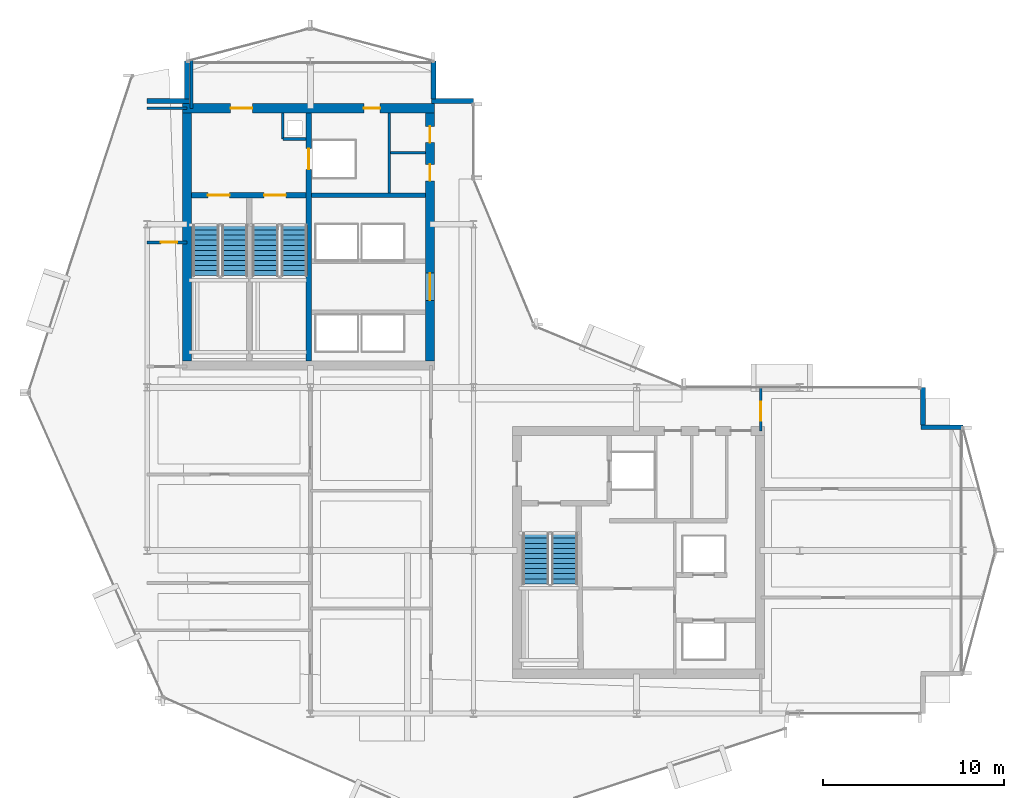
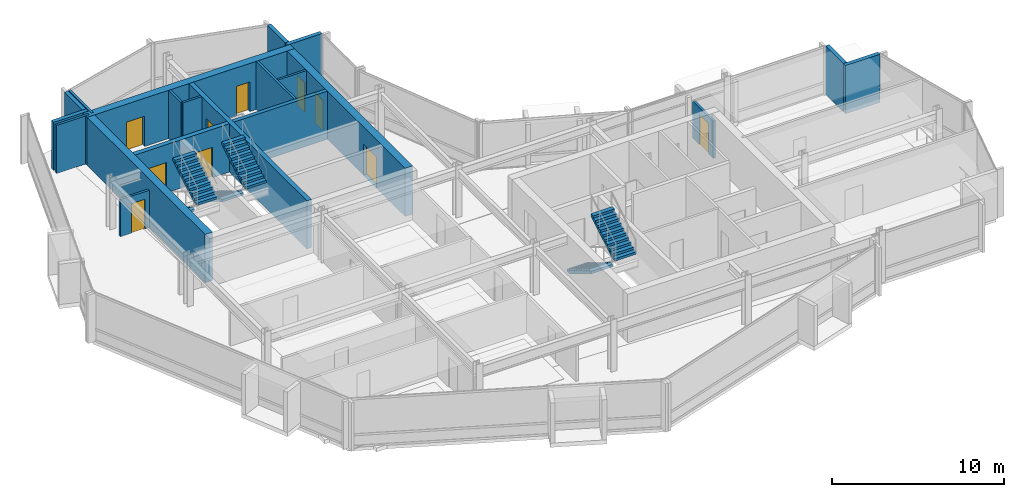
# One storey, part 21 of 27: 20 walls, 10 doors, 6 stair flights, 10 openings, 3 elements without a shape of their own.
"""IFC4 building model written with IfcOpenShell, lengths in metres."""

from ifc_helpers import new_model, si_unit, direction, frame, frame_2d, origin, place, context, subcontext, project, spatial, polyline, rectangle, outline, extrude, material, layer, layer_set, type_object, element, fill, aggregate, save


model = new_model("IFC4")

# Units and contexts
model_context = context("Model", 3, precision=1e-05, world=origin(), true_north=direction((0.0, 1.0)))
body_context = subcontext(model_context, "Body", "Model", "MODEL_VIEW")
ifc_project = project(units=[si_unit("LENGTHUNIT", "METRE"), si_unit("AREAUNIT", "SQUARE_METRE"), si_unit("VOLUMEUNIT", "CUBIC_METRE"), si_unit("PLANEANGLEUNIT", "RADIAN"), si_unit("MASSUNIT", "GRAM", prefix="KILO")], contexts=[model_context])

# Site, building, storey
site_placement = place(None, origin())
site = spatial("IfcSite", under=ifc_project, at=site_placement, CompositionType="ELEMENT")
building_placement = place(site_placement, origin())
building = spatial("IfcBuilding", under=site, at=building_placement, Name="Solvaryn Broadcast Tower", CompositionType="ELEMENT")
storey_placement = place(building_placement, frame((0.0, 0.0, 174.199951171875)))
storey = spatial("IfcBuildingStorey", under=building, at=storey_placement, Name="L43", CompositionType="ELEMENT", Elevation=174.199951171875)

# Wall, openings, doors
ifc_material_1 = material(Name="Concrete f'c 70 MPa", Category="concrete")
ifc_layer_1 = layer(ifc_material_1, 0.5)
ifc_layer_set_1 = layer_set([ifc_layer_1], Name="CW-SHEAR-500")
wall_type_1 = type_object("IfcWallType", Name="CW-SHEAR-500", PredefinedType="SHEAR", material=ifc_layer_set_1)
wall_1_placement = place(storey_placement, frame((24.85009765625, 42.39990234375, 0.0), z_axis=(0.0, 0.0, 1.0), x_axis=(-1.0, 0.0, 0.0)))
wall_1 = element("IfcWall", 1, at=wall_1_placement, inside=storey, type_object=wall_type_1, Name="L43 West Core North Shear Wall", PredefinedType="SHEAR", context=body_context, shape_type="SweptSolid", body=[
    extrude(rectangle(XDim=13.900146484375, YDim=0.5, at=frame_2d((6.9501953125, 0.0))), origin(), (0.0, 0.0, 1.0), 3.420166015625),
])
opening_1_placement = place(wall_1_placement, frame((10.050048828125, 0.0, 0.0)))
opening_1 = element("IfcOpeningElement", 2, at=opening_1_placement, cuts=wall_1, Name="Opening FD90A", PredefinedType="OPENING", context=body_context, shape_type="SweptSolid", body=[
    extrude(rectangle(XDim=1.199951171875, YDim=2.14990234375, at=frame_2d((0.60009765625, 1.074951171875))), frame((0.0, 0.260009765625, 0.0), z_axis=(0.0, -1.0, 0.0), x_axis=(1.0, 0.0, 0.0)), (0.0, 0.0, 1.0), 0.52001953125),
])
opening_2_placement = place(wall_1_placement, frame((3.0, 0.0, 0.0)))
opening_2 = element("IfcOpeningElement", 3, at=opening_2_placement, cuts=wall_1, Name="Opening FD60C", PredefinedType="OPENING", context=body_context, shape_type="SweptSolid", body=[
    extrude(rectangle(XDim=0.89990234375, YDim=2.10009765625, at=frame_2d((0.449951171875, 1.050048828125))), frame((0.0, 0.260009765625, 0.0), z_axis=(0.0, -1.0, 0.0), x_axis=(1.0, 0.0, 0.0)), (0.0, 0.0, 1.0), 0.52001953125),
])
ifc_material_2 = material(Name="Flush Acoustic Steel and Timber Door Assembly", Category="steel")
door_type_1 = type_object("IfcDoorType", Name="FD60-SERV-900X2100", OperationType="NOTDEFINED", PredefinedType="DOOR", material=ifc_material_2)
door_1_placement = place(opening_2_placement, origin())
door_1 = element("IfcDoor", 4, at=door_1_placement, inside=storey, type_object=door_type_1, Name="L43 West Core Fiber Riser Door", OperationType="SINGLE_SWING_RIGHT", OverallHeight=2.10009765625, OverallWidth=0.89990234375, PredefinedType="DOOR", context=body_context, shape_type="SweptSolid", body=[
    extrude(rectangle(XDim=0.89990234375, YDim=2.10009765625, at=frame_2d((0.449951171875, 1.050048828125))), frame((0.0, 0.02490234375, 0.0), z_axis=(0.0, -1.0, 0.0), x_axis=(1.0, 0.0, 0.0)), (0.0, 0.0, 1.0), 0.050048828125),
])
fill(opening_2, door_1)
ifc_material_3 = material(Name="Flush Acoustic Steel and Timber Door Assembly", Category="steel")
door_type_2 = type_object("IfcDoorType", Name="FD90-STAIR-1200X2150", OperationType="NOTDEFINED", PredefinedType="DOOR", material=ifc_material_3)
door_2_placement = place(opening_1_placement, origin())
door_2 = element("IfcDoor", 5, at=door_2_placement, inside=storey, type_object=door_type_2, Name="L43 West FSAE Lobby Corridor Door", OperationType="SINGLE_SWING_LEFT", OverallHeight=2.14990234375, OverallWidth=1.199951171875, PredefinedType="DOOR", context=body_context, shape_type="SweptSolid", body=[
    extrude(rectangle(XDim=1.199951171875, YDim=2.14990234375, at=frame_2d((0.60009765625, 1.074951171875))), frame((0.0, 0.02490234375, 0.0), z_axis=(0.0, -1.0, 0.0), x_axis=(1.0, 0.0, 0.0)), (0.0, 0.0, 1.0), 0.050048828125),
])
fill(opening_1, door_2)

# Wall
wall_2_placement = place(storey_placement, frame((11.199951171875, 42.14990234375, 0.0), z_axis=(0.0, 0.0, 1.0), x_axis=(0.0, -1.0, 0.0)))
element("IfcWall", 6, at=wall_2_placement, inside=storey, type_object=wall_type_1, Name="L43 West Core West Shear Wall", PredefinedType="SHEAR", context=body_context, shape_type="SweptSolid", body=[
    extrude(rectangle(XDim=13.699951171875, YDim=0.5, at=frame_2d((6.85009765625, 0.0))), origin(), (0.0, 0.0, 1.0), 3.420166015625),
])

# Wall, openings, doors
wall_3_placement = place(storey_placement, frame((24.60009765625, 28.449951171875, 0.0), z_axis=(0.0, 0.0, 1.0), x_axis=(0.0, 1.0, 0.0)))
wall_3 = element("IfcWall", 7, at=wall_3_placement, inside=storey, type_object=wall_type_1, Name="L43 West Core East Shear Wall", PredefinedType="SHEAR", context=body_context, shape_type="SweptSolid", body=[
    extrude(rectangle(XDim=13.699951171875, YDim=0.5, at=frame_2d((6.85009765625, 0.0))), origin(), (0.0, 0.0, 1.0), 3.420166015625),
])
opening_3_placement = place(wall_3_placement, frame((3.35009765625, 0.0, 0.0)))
opening_3 = element("IfcOpeningElement", 8, at=opening_3_placement, cuts=wall_3, Name="Opening FD60A", PredefinedType="OPENING", context=body_context, shape_type="SweptSolid", body=[
    extrude(rectangle(XDim=1.5, YDim=2.199951171875, at=frame_2d((0.75, 1.10009765625))), frame((0.0, 0.260009765625, 0.0), z_axis=(0.0, -1.0, 0.0), x_axis=(1.0, 0.0, 0.0)), (0.0, 0.0, 1.0), 0.52001953125),
])
opening_4_placement = place(wall_3_placement, frame((9.949951171875, 0.0, 0.0)))
opening_4 = element("IfcOpeningElement", 9, at=opening_4_placement, cuts=wall_3, Name="Opening FD60C", PredefinedType="OPENING", context=body_context, shape_type="SweptSolid", body=[
    extrude(rectangle(XDim=0.89990234375, YDim=2.10009765625, at=frame_2d((0.449951171875, 1.050048828125))), frame((0.0, 0.260009765625, 0.0), z_axis=(0.0, -1.0, 0.0), x_axis=(1.0, 0.0, 0.0)), (0.0, 0.0, 1.0), 0.52001953125),
])
opening_5_placement = place(wall_3_placement, frame((12.050048828125, 0.0, 0.0)))
opening_5 = element("IfcOpeningElement", 10, at=opening_5_placement, cuts=wall_3, Name="Opening FD60C", PredefinedType="OPENING", context=body_context, shape_type="SweptSolid", body=[
    extrude(rectangle(XDim=0.89990234375, YDim=2.10009765625, at=frame_2d((0.449951171875, 1.050048828125))), frame((0.0, 0.260009765625, 0.0), z_axis=(0.0, -1.0, 0.0), x_axis=(1.0, 0.0, 0.0)), (0.0, 0.0, 1.0), 0.52001953125),
])
ifc_material_4 = material(Name="Flush Acoustic Steel and Timber Door Assembly", Category="steel")
door_type_3 = type_object("IfcDoorType", Name="FD60-CORR-1500X2200", OperationType="NOTDEFINED", PredefinedType="DOOR", material=ifc_material_4)
door_3_placement = place(opening_3_placement, origin())
door_3 = element("IfcDoor", 11, at=door_3_placement, inside=storey, type_object=door_type_3, Name="L43 West Elevator Lobby Corridor Door", OperationType="DOUBLE_DOOR_SINGLE_SWING", OverallHeight=2.199951171875, OverallWidth=1.5, PredefinedType="DOOR", context=body_context, shape_type="SweptSolid", body=[
    extrude(rectangle(XDim=1.5, YDim=2.199951171875, at=frame_2d((0.75, 1.10009765625))), frame((0.0, 0.02490234375, 0.0), z_axis=(0.0, -1.0, 0.0), x_axis=(1.0, 0.0, 0.0)), (0.0, 0.0, 1.0), 0.050048828125),
])
fill(opening_3, door_3)
door_4_placement = place(opening_4_placement, origin())
door_4 = element("IfcDoor", 12, at=door_4_placement, inside=storey, type_object=door_type_1, Name="L43 West Core Service Door 1", OperationType="SINGLE_SWING_LEFT", OverallHeight=2.10009765625, OverallWidth=0.89990234375, PredefinedType="DOOR", context=body_context, shape_type="SweptSolid", body=[
    extrude(rectangle(XDim=0.89990234375, YDim=2.10009765625, at=frame_2d((0.449951171875, 1.050048828125))), frame((0.0, 0.02490234375, 0.0), z_axis=(0.0, -1.0, 0.0), x_axis=(1.0, 0.0, 0.0)), (0.0, 0.0, 1.0), 0.050048828125),
])
fill(opening_4, door_4)
door_5_placement = place(opening_5_placement, origin())
door_5 = element("IfcDoor", 13, at=door_5_placement, inside=storey, type_object=door_type_1, Name="L43 West Core Janitor Door", OperationType="SINGLE_SWING_RIGHT", OverallHeight=2.10009765625, OverallWidth=0.89990234375, PredefinedType="DOOR", context=body_context, shape_type="SweptSolid", body=[
    extrude(rectangle(XDim=0.89990234375, YDim=2.10009765625, at=frame_2d((0.449951171875, 1.050048828125))), frame((0.0, 0.02490234375, 0.0), z_axis=(0.0, -1.0, 0.0), x_axis=(1.0, 0.0, 0.0)), (0.0, 0.0, 1.0), 0.050048828125),
])
fill(opening_5, door_5)

# Walls
ifc_material_5 = material(Name="Concrete f'c 50 MPa", Category="concrete")
ifc_layer_2 = layer(ifc_material_5, 0.260009765625)
ifc_layer_set_2 = layer_set([ifc_layer_2], Name="EW-PIER-260")
wall_type_2 = type_object("IfcWallType", Name="EW-PIER-260", PredefinedType="SOLIDWALL", material=ifc_layer_set_2)
wall_4_placement = place(storey_placement, frame((9.0, 42.800048828125, 0.0), z_axis=(0.0, 0.0, 1.0), x_axis=(1.0, 0.0, 0.0)))
element("IfcWall", 14, at=wall_4_placement, inside=storey, type_object=wall_type_2, Name="L43 Notched Corner Pier Wall NNW1", PredefinedType="SOLIDWALL", context=body_context, shape_type="SweptSolid", body=[
    extrude(rectangle(XDim=2.320068359375, YDim=0.260009765625, at=frame_2d((1.16015625, 0.0))), origin(), (0.0, 0.0, 1.0), 3.420166015625),
])
for number, where, z_axis, x_axis, name in (
    (15, (11.199951171875, 42.919921875, 0.0), (0.0, 0.0, 1.0), (0.0, 1.0, 0.0), "L43 Notched Corner Pier Wall NNW2"),
    (16, (24.800048828125, 45.0, 0.0), (0.0, 0.0, 1.0), (0.0, -1.0, 0.0), "L43 Notched Corner Pier Wall NNE1"),
):
    element("IfcWall", number, at=place(storey_placement, frame(where, z_axis=z_axis, x_axis=x_axis)), inside=storey, type_object=wall_type_2, Name=name, PredefinedType="SOLIDWALL", context=body_context, shape_type="SweptSolid", body=[
        extrude(rectangle(XDim=2.080078125, YDim=0.260009765625, at=frame_2d((1.0400390625, 0.0))), origin(), (0.0, 0.0, 1.0), 3.420166015625),
    ])
for number, where, z_axis, x_axis, name in (
    (17, (24.679931640625, 42.800048828125, 0.0), (0.0, 0.0, 1.0), (1.0, 0.0, 0.0), "L43 Notched Corner Pier Wall NNE2"),
    (18, (54.0, 24.800048828125, 0.0), (0.0, 0.0, 1.0), (-1.0, 0.0, 0.0), "L43 Notched Corner Pier Wall NEE1"),
):
    element("IfcWall", number, at=place(storey_placement, frame(where, z_axis=z_axis, x_axis=x_axis)), inside=storey, type_object=wall_type_2, Name=name, PredefinedType="SOLIDWALL", context=body_context, shape_type="SweptSolid", body=[
        extrude(rectangle(XDim=2.320068359375, YDim=0.260009765625, at=frame_2d((1.16015625, 0.0))), origin(), (0.0, 0.0, 1.0), 3.420166015625),
    ])
wall_5_placement = place(storey_placement, frame((51.800048828125, 24.919921875, 0.0), z_axis=(0.0, 0.0, 1.0), x_axis=(0.0, 1.0, 0.0)))
element("IfcWall", 19, at=wall_5_placement, inside=storey, type_object=wall_type_2, Name="L43 Notched Corner Pier Wall NEE2", PredefinedType="SOLIDWALL", context=body_context, shape_type="SweptSolid", body=[
    extrude(rectangle(XDim=2.080078125, YDim=0.260009765625, at=frame_2d((1.0400390625, 0.0))), origin(), (0.0, 0.0, 1.0), 3.420166015625),
])
ifc_material_6 = material(Name="Metal-Stud Service Core Partition")
ifc_layer_3 = layer(ifc_material_6, 0.14990234375)
ifc_layer_set_3 = layer_set([ifc_layer_3], Name="IW-PART-150")
wall_type_3 = type_object("IfcWallType", Name="IW-PART-150", PredefinedType="PARTITIONING", material=ifc_layer_set_3)
wall_6_placement = place(storey_placement, frame((16.47998046875, 40.699951171875, 0.0), z_axis=(0.0, 0.0, 1.0), x_axis=(1.0, 0.0, 0.0)))
element("IfcWall", 20, at=wall_6_placement, inside=storey, type_object=wall_type_3, Name="L43 West Core Riser Shaft South Wall", PredefinedType="PARTITIONING", context=body_context, shape_type="SweptSolid", body=[
    extrude(rectangle(XDim=1.2900390625, YDim=0.14990234375, at=frame_2d((0.64501953125, 0.0))), origin(), (0.0, 0.0, 1.0), 3.420166015625),
])
wall_7_placement = place(storey_placement, frame((16.47998046875, 40.699951171875, 0.0), z_axis=(0.0, 0.0, 1.0), x_axis=(0.0, 1.0, 0.0)))
element("IfcWall", 21, at=wall_7_placement, inside=storey, type_object=wall_type_3, Name="L43 West Core Riser Shaft West Wall", PredefinedType="PARTITIONING", context=body_context, shape_type="SweptSolid", body=[
    extrude(rectangle(XDim=1.449951171875, YDim=0.14990234375, at=frame_2d((0.72509765625, 0.0))), origin(), (0.0, 0.0, 1.0), 3.420166015625),
])
wall_8_placement = place(storey_placement, frame((22.35009765625, 37.72998046875, 0.0), z_axis=(0.0, 0.0, 1.0), x_axis=(0.0, 1.0, 0.0)))
element("IfcWall", 22, at=wall_8_placement, inside=storey, type_object=wall_type_3, Name="L43 Interior Partition IW-L43-CWS-V", PredefinedType="PARTITIONING", context=body_context, shape_type="SweptSolid", body=[
    extrude(rectangle(XDim=4.419921875, YDim=0.14990234375, at=frame_2d((2.2099609375, 0.0))), origin(), (0.0, 0.0, 1.0), 3.420166015625),
])
wall_9_placement = place(storey_placement, frame((22.429931640625, 39.949951171875, 0.0), z_axis=(0.0, 0.0, 1.0), x_axis=(1.0, 0.0, 0.0)))
element("IfcWall", 23, at=wall_9_placement, inside=storey, type_object=wall_type_3, Name="L43 Interior Partition IW-L43-CWS-H", PredefinedType="PARTITIONING", context=body_context, shape_type="SweptSolid", body=[
    extrude(rectangle(XDim=1.920166015625, YDim=0.14990234375, at=frame_2d((0.9599609375, 0.0))), origin(), (0.0, 0.0, 1.0), 3.420166015625),
])

# Wall, opening, door
wall_10_placement = place(storey_placement, frame((9.0, 35.0, 0.0), z_axis=(0.0, 0.0, 1.0), x_axis=(1.0, 0.0, 0.0)))
wall_10 = element("IfcWall", 24, at=wall_10_placement, inside=storey, type_object=wall_type_3, Name="L43 Interior Partition IW-L43-WM-M", PredefinedType="PARTITIONING", context=body_context, shape_type="SweptSolid", body=[
    extrude(rectangle(XDim=2.199951171875, YDim=0.14990234375, at=frame_2d((1.10009765625, 0.0))), origin(), (0.0, 0.0, 1.0), 2.634033203125),
])
opening_6_placement = place(wall_10_placement, frame((0.75, 0.0, 0.0)))
opening_6 = element("IfcOpeningElement", 25, at=opening_6_placement, cuts=wall_10, Name="Opening FD60C", PredefinedType="OPENING", context=body_context, shape_type="SweptSolid", body=[
    extrude(rectangle(XDim=0.89990234375, YDim=2.10009765625, at=frame_2d((0.449951171875, 1.050048828125))), frame((0.0, 0.0849609375, 0.0), z_axis=(0.0, -1.0, 0.0), x_axis=(1.0, 0.0, 0.0)), (0.0, 0.0, 1.0), 0.169921875),
])
door_6_placement = place(opening_6_placement, origin())
door_6 = element("IfcDoor", 26, at=door_6_placement, inside=storey, type_object=door_type_1, Name="L43 Door DR-L43-WM1", OperationType="SINGLE_SWING_LEFT", OverallHeight=2.10009765625, OverallWidth=0.89990234375, PredefinedType="DOOR", context=body_context, shape_type="SweptSolid", body=[
    extrude(rectangle(XDim=0.89990234375, YDim=2.10009765625, at=frame_2d((0.449951171875, 1.050048828125))), frame((0.0, 0.02490234375, 0.0), z_axis=(0.0, -1.0, 0.0), x_axis=(1.0, 0.0, 0.0)), (0.0, 0.0, 1.0), 0.050048828125),
])
fill(opening_6, door_6)

# Walls
ifc_material_7 = material(Name="Metal-Stud Gypsum Office Partition")
ifc_layer_4 = layer(ifc_material_7, 0.159912109375)
ifc_layer_set_4 = layer_set([ifc_layer_4], Name="IW-PART-160")
wall_type_4 = type_object("IfcWallType", Name="IW-PART-160", PredefinedType="PARTITIONING", material=ifc_layer_set_4)
wall_11_placement = place(storey_placement, frame((9.0, 42.39990234375, 0.0), z_axis=(0.0, 0.0, 1.0), x_axis=(1.0, 0.0, 0.0)))
element("IfcWall", 27, at=wall_11_placement, inside=storey, type_object=wall_type_4, Name="L43 Interior Partition IW-L43-WM-N", PredefinedType="PARTITIONING", context=body_context, shape_type="SweptSolid", body=[
    extrude(rectangle(XDim=2.199951171875, YDim=0.159912109375, at=frame_2d((1.10009765625, 0.0))), origin(), (0.0, 0.0, 1.0), 3.420166015625),
])
wall_12_placement = place(storey_placement, frame((11.449951171875, 42.39990234375, 0.0), z_axis=(0.0, 0.0, 1.0), x_axis=(0.0, 1.0, 0.0)))
element("IfcWall", 28, at=wall_12_placement, inside=storey, type_object=wall_type_4, Name="L43 Interior Partition IW-L43-WM-E", PredefinedType="PARTITIONING", context=body_context, shape_type="SweptSolid", body=[
    extrude(rectangle(XDim=2.666015625, YDim=0.159912109375, at=frame_2d((1.3330078125, 0.0))), origin(), (0.0, 0.0, 1.0), 3.420166015625),
])

# Wall, opening, door
wall_13_placement = place(storey_placement, frame((42.85009765625, 24.60009765625, 0.0), z_axis=(0.0, 0.0, 1.0), x_axis=(0.0, 1.0, 0.0)))
wall_13 = element("IfcWall", 29, at=wall_13_placement, inside=storey, type_object=wall_type_4, Name="L43 Interior Partition IW-L43-EW-BN", PredefinedType="PARTITIONING", context=body_context, shape_type="SweptSolid", body=[
    extrude(rectangle(XDim=2.39990234375, YDim=0.159912109375, at=frame_2d((1.199951171875, 0.0))), origin(), (0.0, 0.0, 1.0), 2.634033203125),
])
opening_7_placement = place(wall_13_placement, frame((0.550048828125, 0.0, 0.0)))
opening_7 = element("IfcOpeningElement", 30, at=opening_7_placement, cuts=wall_13, Name="Opening ID03", PredefinedType="OPENING", context=body_context, shape_type="SweptSolid", body=[
    extrude(rectangle(XDim=1.050048828125, YDim=2.14990234375, at=frame_2d((0.52490234375, 1.074951171875))), frame((0.0, 0.090087890625, 0.0), z_axis=(0.0, -1.0, 0.0), x_axis=(1.0, 0.0, 0.0)), (0.0, 0.0, 1.0), 0.179931640625),
])
ifc_material_8 = material(Name="Flush Acoustic Steel and Timber Door Assembly", Category="steel")
door_type_4 = type_object("IfcDoorType", Name="ID-03-1050X2150", OperationType="NOTDEFINED", PredefinedType="DOOR", material=ifc_material_8)
door_7_placement = place(opening_7_placement, origin())
door_7 = element("IfcDoor", 31, at=door_7_placement, inside=storey, type_object=door_type_4, Name="L43 Door DR-L43-EW0", OperationType="SINGLE_SWING_RIGHT", OverallHeight=2.14990234375, OverallWidth=1.050048828125, PredefinedType="DOOR", context=body_context, shape_type="SweptSolid", body=[
    extrude(rectangle(XDim=1.050048828125, YDim=2.14990234375, at=frame_2d((0.52490234375, 1.074951171875))), frame((0.0, 0.02490234375, 0.0), z_axis=(0.0, -1.0, 0.0), x_axis=(1.0, 0.0, 0.0)), (0.0, 0.0, 1.0), 0.050048828125),
])
fill(opening_7, door_7)

# Wall
ifc_material_9 = material(Name="Concrete f'c 60 MPa", Category="concrete")
ifc_layer_5 = layer(ifc_material_9, 0.25)
ifc_layer_set_5 = layer_set([ifc_layer_5], Name="SW-SHAFT-250")
wall_type_5 = type_object("IfcWallType", Name="SW-SHAFT-250", PredefinedType="PARTITIONING", material=ifc_layer_set_5)
wall_14_placement = place(storey_placement, frame((18.070068359375, 37.60009765625, 0.0), z_axis=(0.0, 0.0, 1.0), x_axis=(1.0, 0.0, 0.0)))
element("IfcWall", 32, at=wall_14_placement, inside=storey, type_object=wall_type_5, Name="L43 West Core FSAE Hoistway Front Wall", PredefinedType="PARTITIONING", context=body_context, shape_type="SweptSolid", body=[
    extrude(rectangle(XDim=6.280029296875, YDim=0.25, at=frame_2d((3.14013671875, 0.0))), origin(), (0.0, 0.0, 1.0), 3.420166015625),
])

# Wall, opening, door
ifc_material_10 = material(Name="Concrete f'c 70 MPa", Category="concrete")
ifc_layer_6 = layer(ifc_material_10, 0.300048828125)
ifc_layer_set_6 = layer_set([ifc_layer_6], Name="SW-SHAFT-300")
wall_type_6 = type_object("IfcWallType", Name="SW-SHAFT-300", PredefinedType="SHEAR", material=ifc_layer_set_6)
wall_15_placement = place(storey_placement, frame((17.919921875, 42.14990234375, 0.0), z_axis=(0.0, 0.0, 1.0), x_axis=(0.0, -1.0, 0.0)))
wall_15 = element("IfcWall", 33, at=wall_15_placement, inside=storey, type_object=wall_type_6, Name="L43 West Core Stair-Lobby Shear Wall", PredefinedType="SHEAR", context=body_context, shape_type="SweptSolid", body=[
    extrude(rectangle(XDim=13.699951171875, YDim=0.300048828125, at=frame_2d((6.85009765625, 0.0))), origin(), (0.0, 0.0, 1.0), 3.420166015625),
])
opening_8_placement = place(wall_15_placement, frame((1.97509765625, 0.0, 0.0)))
opening_8 = element("IfcOpeningElement", 34, at=opening_8_placement, cuts=wall_15, Name="Opening LD01", PredefinedType="OPENING", context=body_context, shape_type="SweptSolid", body=[
    extrude(rectangle(XDim=1.14990234375, YDim=2.14990234375, at=frame_2d((0.574951171875, 1.074951171875))), frame((0.0, 0.159912109375, 0.0), z_axis=(0.0, -1.0, 0.0), x_axis=(1.0, 0.0, 0.0)), (0.0, 0.0, 1.0), 0.320068359375),
])
ifc_material_11 = material(Name="Flush Acoustic Steel and Timber Door Assembly", Category="steel")
door_type_5 = type_object("IfcDoorType", Name="LD-LIFT-1150X2150", OperationType="NOTDEFINED", PredefinedType="DOOR", material=ifc_material_11)
door_8_placement = place(opening_8_placement, origin())
door_8 = element("IfcDoor", 35, at=door_8_placement, inside=storey, type_object=door_type_5, Name="L43 FL1 Lift Landing Door", OperationType="DOUBLE_DOOR_SLIDING", OverallHeight=2.14990234375, OverallWidth=1.14990234375, PredefinedType="DOOR", context=body_context, shape_type="SweptSolid", body=[
    extrude(rectangle(XDim=1.14990234375, YDim=2.14990234375, at=frame_2d((0.574951171875, 1.074951171875))), frame((0.0, 0.02490234375, 0.0), z_axis=(0.0, -1.0, 0.0), x_axis=(1.0, 0.0, 0.0)), (0.0, 0.0, 1.0), 0.050048828125),
])
fill(opening_8, door_8)

# Wall, openings, doors
wall_16_placement = place(storey_placement, frame((17.77001953125, 37.60009765625, 0.0), z_axis=(0.0, 0.0, 1.0), x_axis=(-1.0, 0.0, 0.0)))
wall_16 = element("IfcWall", 36, at=wall_16_placement, inside=storey, type_object=wall_type_6, Name="L43 West Core FSAE Lobby South Wall", PredefinedType="SHEAR", context=body_context, shape_type="SweptSolid", body=[
    extrude(rectangle(XDim=6.320068359375, YDim=0.300048828125, at=frame_2d((3.16015625, 0.0))), origin(), (0.0, 0.0, 1.0), 3.420166015625),
])
opening_9_placement = place(wall_16_placement, frame((4.219970703125, 0.0, 0.0)))
opening_9 = element("IfcOpeningElement", 37, at=opening_9_placement, cuts=wall_16, Name="Opening FD90A", PredefinedType="OPENING", context=body_context, shape_type="SweptSolid", body=[
    extrude(rectangle(XDim=1.199951171875, YDim=2.14990234375, at=frame_2d((0.60009765625, 1.074951171875))), frame((0.0, 0.159912109375, 0.0), z_axis=(0.0, -1.0, 0.0), x_axis=(1.0, 0.0, 0.0)), (0.0, 0.0, 1.0), 0.320068359375),
])
opening_10_placement = place(wall_16_placement, frame((1.1201171875, 0.0, 0.0)))
opening_10 = element("IfcOpeningElement", 38, at=opening_10_placement, cuts=wall_16, Name="Opening FD90A", PredefinedType="OPENING", context=body_context, shape_type="SweptSolid", body=[
    extrude(rectangle(XDim=1.199951171875, YDim=2.14990234375, at=frame_2d((0.60009765625, 1.074951171875))), frame((0.0, 0.159912109375, 0.0), z_axis=(0.0, -1.0, 0.0), x_axis=(1.0, 0.0, 0.0)), (0.0, 0.0, 1.0), 0.320068359375),
])
door_9_placement = place(opening_9_placement, origin())
door_9 = element("IfcDoor", 39, at=door_9_placement, inside=storey, type_object=door_type_2, Name="L43 Stair 1 Fire Door", OperationType="SINGLE_SWING_LEFT", OverallHeight=2.14990234375, OverallWidth=1.199951171875, PredefinedType="DOOR", context=body_context, shape_type="SweptSolid", body=[
    extrude(rectangle(XDim=1.199951171875, YDim=2.14990234375, at=frame_2d((0.60009765625, 1.074951171875))), frame((0.0, 0.02490234375, 0.0), z_axis=(0.0, -1.0, 0.0), x_axis=(1.0, 0.0, 0.0)), (0.0, 0.0, 1.0), 0.050048828125),
])
fill(opening_9, door_9)
door_10_placement = place(opening_10_placement, origin())
door_10 = element("IfcDoor", 40, at=door_10_placement, inside=storey, type_object=door_type_2, Name="L43 Stair 2 Fire Door", OperationType="SINGLE_SWING_RIGHT", OverallHeight=2.14990234375, OverallWidth=1.199951171875, PredefinedType="DOOR", context=body_context, shape_type="SweptSolid", body=[
    extrude(rectangle(XDim=1.199951171875, YDim=2.14990234375, at=frame_2d((0.60009765625, 1.074951171875))), frame((0.0, 0.02490234375, 0.0), z_axis=(0.0, -1.0, 0.0), x_axis=(1.0, 0.0, 0.0)), (0.0, 0.0, 1.0), 0.050048828125),
])
fill(opening_10, door_10)

# Stair, stair flights
ifc_material_12 = material(Name="Concrete f'c 60 MPa", Category="concrete")
stair_type = type_object("IfcStairType", Name="ST-CORE", PredefinedType="HALF_TURN_STAIR", material=ifc_material_12)
stair_1_placement = place(storey_placement, origin())
stair_1 = element("IfcStair", 41, at=stair_1_placement, inside=storey, type_object=stair_type, Name="L43 ST1", PredefinedType="HALF_TURN_STAIR")
ifc_material_13 = material(Name="Concrete f'c 60 MPa", Category="concrete")
ifc_layer_7 = layer(ifc_material_13, 0.159912109375)
ifc_layer_set_7 = layer_set([ifc_layer_7], Name="SF-CORE")
stair_flight_type = type_object("IfcStairFlightType", Name="SF-CORE", PredefinedType="STRAIGHT", material=ifc_layer_set_7)
stair_flight_1_placement = place(storey_placement, frame((12.239990234375, 35.9599609375, 0.0), z_axis=(0.0, 0.0, 1.0), x_axis=(0.0, -1.0, 0.0)))
stair_flight_1 = element("IfcStairFlight", 42, at=stair_flight_1_placement, type_object=stair_flight_type, Name="ST1 flight 1", NumberOfRisers=11, NumberOfTreads=10, PredefinedType="STRAIGHT", RiserHeight=0.168181818, TreadLength=0.28, context=body_context, shape_type="SweptSolid", body=[
    extrude(outline(polyline([(0.0, 0.0), (0.0, 0.168212890625), (0.280029296875, 0.168212890625), (0.280029296875, 0.33642578125), (0.56005859375, 0.33642578125), (0.56005859375, 0.504638671875), (0.840087890625, 0.504638671875), (0.840087890625, 0.672607421875), (1.1201171875, 0.672607421875), (1.1201171875, 0.8408203125), (1.39990234375, 0.8408203125), (1.39990234375, 1.009033203125), (1.679931640625, 1.009033203125), (1.679931640625, 1.17724609375), (1.9599609375, 1.17724609375), (1.9599609375, 1.345458984375), (2.239990234375, 1.345458984375), (2.239990234375, 1.513671875), (2.52001953125, 1.513671875), (2.52001953125, 1.681884765625), (2.800048828125, 1.681884765625), (2.800048828125, 1.85009765625), (2.800048828125, 1.5068359375), (0.291015625, 0.0), (0.0, 0.0)])), frame((0.0, 0.719970703125, 0.0), z_axis=(0.0, -1.0, 0.0), x_axis=(1.0, 0.0, 0.0)), (0.0, 0.0, 1.0), 1.43994140625),
])
stair_flight_2_placement = place(storey_placement, frame((13.830078125, 33.159912109375, 1.85009765625), z_axis=(0.0, 0.0, 1.0), x_axis=(0.0, 1.0, 0.0)))
stair_flight_2 = element("IfcStairFlight", 43, at=stair_flight_2_placement, type_object=stair_flight_type, Name="ST1 flight 2", NumberOfRisers=11, NumberOfTreads=10, PredefinedType="STRAIGHT", RiserHeight=0.168181818, TreadLength=0.28, context=body_context, shape_type="SweptSolid", body=[
    extrude(outline(polyline([(0.0, 0.0), (0.0, 0.168212890625), (0.280029296875, 0.168212890625), (0.280029296875, 0.33642578125), (0.56005859375, 0.33642578125), (0.56005859375, 0.504638671875), (0.840087890625, 0.504638671875), (0.840087890625, 0.672607421875), (1.1201171875, 0.672607421875), (1.1201171875, 0.8408203125), (1.39990234375, 0.8408203125), (1.39990234375, 1.009033203125), (1.679931640625, 1.009033203125), (1.679931640625, 1.17724609375), (1.9599609375, 1.17724609375), (1.9599609375, 1.345458984375), (2.239990234375, 1.345458984375), (2.239990234375, 1.513671875), (2.52001953125, 1.513671875), (2.52001953125, 1.681884765625), (2.800048828125, 1.681884765625), (2.800048828125, 1.85009765625), (2.800048828125, 1.5068359375), (0.291015625, 0.0), (0.0, 0.0)])), frame((0.0, 0.719970703125, 0.0), z_axis=(0.0, -1.0, 0.0), x_axis=(1.0, 0.0, 0.0)), (0.0, 0.0, 1.0), 1.43994140625),
])
aggregate(stair_1, [stair_flight_1, stair_flight_2])

stair_2_placement = place(storey_placement, origin())
stair_2 = element("IfcStair", 44, at=stair_2_placement, inside=storey, type_object=stair_type, Name="L43 ST2", PredefinedType="HALF_TURN_STAIR")
stair_flight_3_placement = place(storey_placement, frame((15.52001953125, 35.9599609375, 0.0), z_axis=(0.0, 0.0, 1.0), x_axis=(0.0, -1.0, 0.0)))
stair_flight_3 = element("IfcStairFlight", 45, at=stair_flight_3_placement, type_object=stair_flight_type, Name="ST2 flight 1", NumberOfRisers=11, NumberOfTreads=10, PredefinedType="STRAIGHT", RiserHeight=0.168181818, TreadLength=0.28, context=body_context, shape_type="SweptSolid", body=[
    extrude(outline(polyline([(0.0, 0.0), (0.0, 0.168212890625), (0.280029296875, 0.168212890625), (0.280029296875, 0.33642578125), (0.56005859375, 0.33642578125), (0.56005859375, 0.504638671875), (0.840087890625, 0.504638671875), (0.840087890625, 0.672607421875), (1.1201171875, 0.672607421875), (1.1201171875, 0.8408203125), (1.39990234375, 0.8408203125), (1.39990234375, 1.009033203125), (1.679931640625, 1.009033203125), (1.679931640625, 1.17724609375), (1.9599609375, 1.17724609375), (1.9599609375, 1.345458984375), (2.239990234375, 1.345458984375), (2.239990234375, 1.513671875), (2.52001953125, 1.513671875), (2.52001953125, 1.681884765625), (2.800048828125, 1.681884765625), (2.800048828125, 1.85009765625), (2.800048828125, 1.5068359375), (0.291015625, 0.0), (0.0, 0.0)])), frame((0.0, 0.719970703125, 0.0), z_axis=(0.0, -1.0, 0.0), x_axis=(1.0, 0.0, 0.0)), (0.0, 0.0, 1.0), 1.43994140625),
])
stair_flight_4_placement = place(storey_placement, frame((17.110107421875, 33.159912109375, 1.85009765625), z_axis=(0.0, 0.0, 1.0), x_axis=(0.0, 1.0, 0.0)))
stair_flight_4 = element("IfcStairFlight", 46, at=stair_flight_4_placement, type_object=stair_flight_type, Name="ST2 flight 2", NumberOfRisers=11, NumberOfTreads=10, PredefinedType="STRAIGHT", RiserHeight=0.168181818, TreadLength=0.28, context=body_context, shape_type="SweptSolid", body=[
    extrude(outline(polyline([(0.0, 0.0), (0.0, 0.168212890625), (0.280029296875, 0.168212890625), (0.280029296875, 0.33642578125), (0.56005859375, 0.33642578125), (0.56005859375, 0.504638671875), (0.840087890625, 0.504638671875), (0.840087890625, 0.672607421875), (1.1201171875, 0.672607421875), (1.1201171875, 0.8408203125), (1.39990234375, 0.8408203125), (1.39990234375, 1.009033203125), (1.679931640625, 1.009033203125), (1.679931640625, 1.17724609375), (1.9599609375, 1.17724609375), (1.9599609375, 1.345458984375), (2.239990234375, 1.345458984375), (2.239990234375, 1.513671875), (2.52001953125, 1.513671875), (2.52001953125, 1.681884765625), (2.800048828125, 1.681884765625), (2.800048828125, 1.85009765625), (2.800048828125, 1.5068359375), (0.291015625, 0.0), (0.0, 0.0)])), frame((0.0, 0.719970703125, 0.0), z_axis=(0.0, -1.0, 0.0), x_axis=(1.0, 0.0, 0.0)), (0.0, 0.0, 1.0), 1.43994140625),
])
aggregate(stair_2, [stair_flight_3, stair_flight_4])

stair_3_placement = place(storey_placement, origin())
stair_3 = element("IfcStair", 47, at=stair_3_placement, inside=storey, type_object=stair_type, Name="L43 ST3", PredefinedType="HALF_TURN_STAIR")
stair_flight_5_placement = place(storey_placement, frame((30.43994140625, 18.9599609375, 0.0), z_axis=(0.0, 0.0, 1.0), x_axis=(0.0, -1.0, 0.0)))
stair_flight_5 = element("IfcStairFlight", 48, at=stair_flight_5_placement, type_object=stair_flight_type, Name="ST3 flight 1", NumberOfRisers=11, NumberOfTreads=10, PredefinedType="STRAIGHT", RiserHeight=0.168181818, TreadLength=0.28, context=body_context, shape_type="SweptSolid", body=[
    extrude(outline(polyline([(0.0, 0.0), (0.0, 0.168212890625), (0.280029296875, 0.168212890625), (0.280029296875, 0.33642578125), (0.56005859375, 0.33642578125), (0.56005859375, 0.504638671875), (0.840087890625, 0.504638671875), (0.840087890625, 0.672607421875), (1.1201171875, 0.672607421875), (1.1201171875, 0.8408203125), (1.39990234375, 0.8408203125), (1.39990234375, 1.009033203125), (1.679931640625, 1.009033203125), (1.679931640625, 1.17724609375), (1.9599609375, 1.17724609375), (1.9599609375, 1.345458984375), (2.239990234375, 1.345458984375), (2.239990234375, 1.513671875), (2.52001953125, 1.513671875), (2.52001953125, 1.681884765625), (2.800048828125, 1.681884765625), (2.800048828125, 1.85009765625), (2.800048828125, 1.5068359375), (0.291015625, 0.0), (0.0, 0.0)])), frame((0.0, 0.719970703125, 0.0), z_axis=(0.0, -1.0, 0.0), x_axis=(1.0, 0.0, 0.0)), (0.0, 0.0, 1.0), 1.43994140625),
])
stair_flight_6_placement = place(storey_placement, frame((32.030029296875, 16.159912109375, 1.85009765625), z_axis=(0.0, 0.0, 1.0), x_axis=(0.0, 1.0, 0.0)))
stair_flight_6 = element("IfcStairFlight", 49, at=stair_flight_6_placement, type_object=stair_flight_type, Name="ST3 flight 2", NumberOfRisers=11, NumberOfTreads=10, PredefinedType="STRAIGHT", RiserHeight=0.168181818, TreadLength=0.28, context=body_context, shape_type="SweptSolid", body=[
    extrude(outline(polyline([(0.0, 0.0), (0.0, 0.168212890625), (0.280029296875, 0.168212890625), (0.280029296875, 0.33642578125), (0.56005859375, 0.33642578125), (0.56005859375, 0.504638671875), (0.840087890625, 0.504638671875), (0.840087890625, 0.672607421875), (1.1201171875, 0.672607421875), (1.1201171875, 0.8408203125), (1.39990234375, 0.8408203125), (1.39990234375, 1.009033203125), (1.679931640625, 1.009033203125), (1.679931640625, 1.17724609375), (1.9599609375, 1.17724609375), (1.9599609375, 1.345458984375), (2.239990234375, 1.345458984375), (2.239990234375, 1.513671875), (2.52001953125, 1.513671875), (2.52001953125, 1.681884765625), (2.800048828125, 1.681884765625), (2.800048828125, 1.85009765625), (2.800048828125, 1.5068359375), (0.291015625, 0.0), (0.0, 0.0)])), frame((0.0, 0.719970703125, 0.0), z_axis=(0.0, -1.0, 0.0), x_axis=(1.0, 0.0, 0.0)), (0.0, 0.0, 1.0), 1.43994140625),
])
aggregate(stair_3, [stair_flight_5, stair_flight_6])

save(model, "model.ifc")
